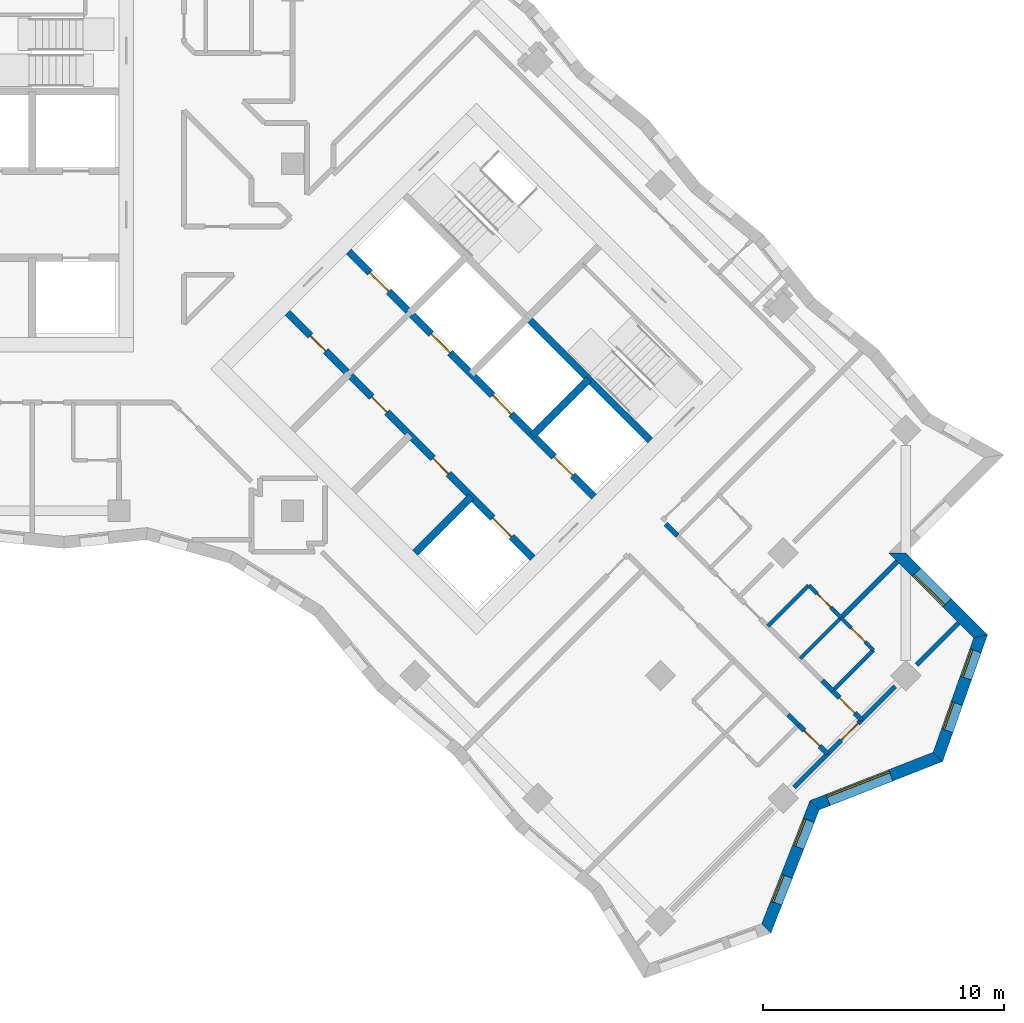
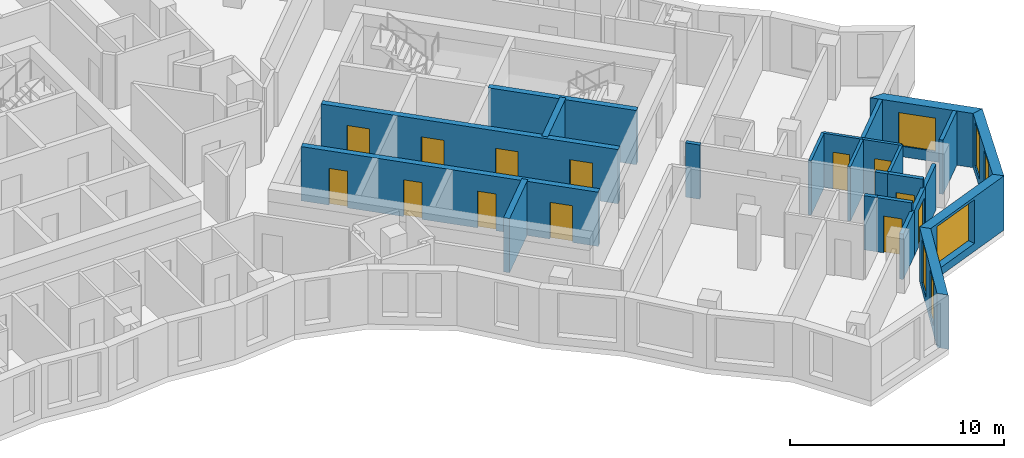
# One storey, part 8 of 12: 24 walls, 13 doors, 6 windows, 19 openings.
"""IFC4 building model written with IfcOpenShell, lengths in metres."""

from ifc_helpers import new_model, si_unit, direction, frame, frame_2d, origin, place, context, subcontext, project, spatial, polyline, rectangle, outline, extrude, material, layer, layer_set, type_object, element, fill, save


model = new_model("IFC4")

# Units and contexts
model_context = context("Model", 3, precision=1e-05, world=origin(), true_north=direction((0.0, 1.0)))
body_context = subcontext(model_context, "Body", "Model", "MODEL_VIEW")
ifc_project = project(units=[si_unit("LENGTHUNIT", "METRE"), si_unit("AREAUNIT", "SQUARE_METRE"), si_unit("VOLUMEUNIT", "CUBIC_METRE"), si_unit("PLANEANGLEUNIT", "RADIAN"), si_unit("MASSUNIT", "GRAM", prefix="KILO")], contexts=[model_context])

# Site, building, storey
site_placement = place(None, origin())
site = spatial("IfcSite", under=ifc_project, at=site_placement, CompositionType="ELEMENT")
building_placement = place(site_placement, origin())
building = spatial("IfcBuilding", under=site, at=building_placement, Name="Windrow Commons", CompositionType="ELEMENT")
storey_placement = place(building_placement, frame((0.0, 0.0, 142.2)))
storey = spatial("IfcBuildingStorey", under=building, at=storey_placement, Name="L38", CompositionType="ELEMENT", Elevation=142.2)

# Wall, openings, windows
ifc_material_1 = material(Name="Brick masonry, red clay brick", Category="masonry")
ifc_layer_1 = layer(ifc_material_1, 0.5)
ifc_layer_set_1 = layer_set([ifc_layer_1], Name="Brick facade wall 500")
wall_type_1 = type_object("IfcWallType", Name="Brick facade wall 500", PredefinedType="SOLIDWALL", material=ifc_layer_set_1)
wall_1_placement = place(storey_placement, frame((98.8639, 25.8673, 0.0), z_axis=(0.0, 0.0, 1.0), x_axis=(0.3652007286, 0.9309287985, 0.0)))
wall_1 = element("IfcWall", 1, at=wall_1_placement, inside=storey, type_object=wall_type_1, Name="Brick facade wall L38 2", PredefinedType="SOLIDWALL", context=body_context, shape_type="SweptSolid", body=[
    extrude(outline(polyline([(-0.114, -0.25), (5.3854, -0.25), (5.6037, 0.25), (0.114, 0.25), (-0.114, -0.25)])), origin(), (0.0, 0.0, 1.0), 3.1),
])
opening_1_placement = place(wall_1_placement, frame((1.1322, 0.0, 0.45)))
opening_1 = element("IfcOpeningElement", 2, at=opening_1_placement, cuts=wall_1, Name="Opening W7E", PredefinedType="OPENING", context=body_context, shape_type="SweptSolid", body=[
    extrude(rectangle(XDim=1.2, YDim=2.5, at=frame_2d((0.6, 1.25))), frame((0.0, 0.26, 0.0), z_axis=(0.0, -1.0, 0.0), x_axis=(1.0, 0.0, 0.0)), (0.0, 0.0, 1.0), 0.52),
])
opening_2_placement = place(wall_1_placement, frame((3.6224, 0.0, 0.45)))
opening_2 = element("IfcOpeningElement", 3, at=opening_2_placement, cuts=wall_1, Name="Opening W7E", PredefinedType="OPENING", context=body_context, shape_type="SweptSolid", body=[
    extrude(rectangle(XDim=1.2, YDim=2.5, at=frame_2d((0.6, 1.25))), frame((0.0, 0.26, 0.0), z_axis=(0.0, -1.0, 0.0), x_axis=(1.0, 0.0, 0.0)), (0.0, 0.0, 1.0), 0.52),
])
ifc_material_2 = material(Name="Clear float glass in anodised aluminium frame", Category="aluminium")
window_type_1 = type_object("IfcWindowType", Name="Window W7 notch 1200x2500", PartitioningType="SINGLE_PANEL", PredefinedType="WINDOW", material=ifc_material_2)
window_1_placement = place(opening_1_placement, origin())
window_1 = element("IfcWindow", 4, at=window_1_placement, inside=storey, type_object=window_type_1, Name="Window L38 2.1", OverallHeight=2.5, OverallWidth=1.2, PartitioningType="SINGLE_PANEL", PredefinedType="WINDOW", context=body_context, shape_type="SweptSolid", body=[
    extrude(rectangle(XDim=1.2, YDim=2.5, at=frame_2d((0.6, 1.25))), frame((0.0, 0.18, 0.0), z_axis=(0.0, -1.0, 0.0), x_axis=(1.0, 0.0, 0.0)), (0.0, 0.0, 1.0), 0.06),
])
fill(opening_1, window_1)
window_2_placement = place(opening_2_placement, origin())
window_2 = element("IfcWindow", 5, at=window_2_placement, inside=storey, type_object=window_type_1, Name="Window L38 2.2", OverallHeight=2.5, OverallWidth=1.2, PartitioningType="SINGLE_PANEL", PredefinedType="WINDOW", context=body_context, shape_type="SweptSolid", body=[
    extrude(rectangle(XDim=1.2, YDim=2.5, at=frame_2d((0.6, 1.25))), frame((0.0, 0.18, 0.0), z_axis=(0.0, -1.0, 0.0), x_axis=(1.0, 0.0, 0.0)), (0.0, 0.0, 1.0), 0.06),
])
fill(opening_2, window_2)

# Wall, opening, window
wall_2_placement = place(storey_placement, frame((100.8705, 30.9823, 0.0), z_axis=(0.0, 0.0, 1.0), x_axis=(0.9309312258, 0.3651945412, 0.0)))
wall_2 = element("IfcWall", 6, at=wall_2_placement, inside=storey, type_object=wall_type_1, Name="Brick facade wall L38 3", PredefinedType="SOLIDWALL", context=body_context, shape_type="SweptSolid", body=[
    extrude(outline(polyline([(0.1091, -0.25), (5.6086, -0.25), (5.3805, 0.25), (-0.1091, 0.25), (0.1091, -0.25)])), origin(), (0.0, 0.0, 1.0), 3.1),
])
opening_3_placement = place(wall_2_placement, frame((0.5957, 0.0, 0.45)))
opening_3 = element("IfcOpeningElement", 7, at=opening_3_placement, cuts=wall_2, Name="Opening W1U", PredefinedType="OPENING", context=body_context, shape_type="SweptSolid", body=[
    extrude(rectangle(XDim=2.8, YDim=2.5, at=frame_2d((1.4, 1.25))), frame((0.0, 0.26, 0.0), z_axis=(0.0, -1.0, 0.0), x_axis=(1.0, 0.0, 0.0)), (0.0, 0.0, 1.0), 0.52),
])
ifc_material_3 = material(Name="Clear float glass in anodised aluminium frame", Category="aluminium")
window_type_2 = type_object("IfcWindowType", Name="Window W1U bedroom 2800x2500", PartitioningType="SINGLE_PANEL", PredefinedType="WINDOW", material=ifc_material_3)
window_3_placement = place(opening_3_placement, origin())
window_3 = element("IfcWindow", 8, at=window_3_placement, inside=storey, type_object=window_type_2, Name="Window L38 3.1", OverallHeight=2.5, OverallWidth=2.8, PartitioningType="SINGLE_PANEL", PredefinedType="WINDOW", context=body_context, shape_type="SweptSolid", body=[
    extrude(rectangle(XDim=2.8, YDim=2.5, at=frame_2d((1.4, 1.25))), frame((0.0, 0.18, 0.0), z_axis=(0.0, -1.0, 0.0), x_axis=(1.0, 0.0, 0.0)), (0.0, 0.0, 1.0), 0.06),
])
fill(opening_3, window_3)

# Wall, openings, windows
wall_3_placement = place(storey_placement, frame((105.9856, 32.9889, 0.0), z_axis=(0.0, 0.0, 1.0), x_axis=(0.3344271092, 0.9424216194, 0.0)))
wall_3 = element("IfcWall", 9, at=wall_3_placement, inside=storey, type_object=wall_type_1, Name="Brick facade wall L38 4", PredefinedType="SOLIDWALL", context=body_context, shape_type="SweptSolid", body=[
    extrude(outline(polyline([(-0.114, -0.25), (5.4685, -0.25), (5.1527, 0.25), (0.114, 0.25), (-0.114, -0.25)])), origin(), (0.0, 0.0, 1.0), 3.1),
])
opening_4_placement = place(wall_3_placement, frame((1.1545, 0.0, 0.45)))
opening_4 = element("IfcOpeningElement", 10, at=opening_4_placement, cuts=wall_3, Name="Opening W7E", PredefinedType="OPENING", context=body_context, shape_type="SweptSolid", body=[
    extrude(rectangle(XDim=1.2, YDim=2.5, at=frame_2d((0.6, 1.25))), frame((0.0, 0.26, 0.0), z_axis=(0.0, -1.0, 0.0), x_axis=(1.0, 0.0, 0.0)), (0.0, 0.0, 1.0), 0.52),
])
opening_5_placement = place(wall_3_placement, frame((3.4739, 0.0, 0.45)))
opening_5 = element("IfcOpeningElement", 11, at=opening_5_placement, cuts=wall_3, Name="Opening W7E", PredefinedType="OPENING", context=body_context, shape_type="SweptSolid", body=[
    extrude(rectangle(XDim=1.2, YDim=2.5, at=frame_2d((0.6, 1.25))), frame((0.0, 0.26, 0.0), z_axis=(0.0, -1.0, 0.0), x_axis=(1.0, 0.0, 0.0)), (0.0, 0.0, 1.0), 0.52),
])
window_4_placement = place(opening_4_placement, origin())
window_4 = element("IfcWindow", 12, at=window_4_placement, inside=storey, type_object=window_type_1, Name="Window L38 4.1", OverallHeight=2.5, OverallWidth=1.2, PartitioningType="SINGLE_PANEL", PredefinedType="WINDOW", context=body_context, shape_type="SweptSolid", body=[
    extrude(rectangle(XDim=1.2, YDim=2.5, at=frame_2d((0.6, 1.25))), frame((0.0, 0.18, 0.0), z_axis=(0.0, -1.0, 0.0), x_axis=(1.0, 0.0, 0.0)), (0.0, 0.0, 1.0), 0.06),
])
fill(opening_4, window_4)
window_5_placement = place(opening_5_placement, origin())
window_5 = element("IfcWindow", 13, at=window_5_placement, inside=storey, type_object=window_type_1, Name="Window L38 4.2", OverallHeight=2.5, OverallWidth=1.2, PartitioningType="SINGLE_PANEL", PredefinedType="WINDOW", context=body_context, shape_type="SweptSolid", body=[
    extrude(rectangle(XDim=1.2, YDim=2.5, at=frame_2d((0.6, 1.25))), frame((0.0, 0.18, 0.0), z_axis=(0.0, -1.0, 0.0), x_axis=(1.0, 0.0, 0.0)), (0.0, 0.0, 1.0), 0.06),
])
fill(opening_5, window_5)

# Wall, opening, window
wall_4_placement = place(storey_placement, frame((107.7616, 37.9937, 0.0), z_axis=(0.0, 0.0, 1.0), x_axis=(-0.7071170013, 0.7070965609, 0.0)))
wall_4 = element("IfcWall", 14, at=wall_4_placement, inside=storey, type_object=wall_type_1, Name="Brick facade wall L38 5", PredefinedType="SOLIDWALL", context=body_context, shape_type="SweptSolid", body=[
    extrude(outline(polyline([(-0.1579, -0.25), (4.6422, -0.25), (5.1422, 0.25), (0.1579, 0.25), (-0.1579, -0.25)])), origin(), (0.0, 0.0, 1.0), 3.1),
])
opening_6_placement = place(wall_4_placement, frame((1.9672, 0.0, 0.6)))
opening_6 = element("IfcOpeningElement", 15, at=opening_6_placement, cuts=wall_4, Name="Opening W1L", PredefinedType="OPENING", context=body_context, shape_type="SweptSolid", body=[
    extrude(rectangle(XDim=1.8, YDim=1.9, at=frame_2d((0.9, 0.95))), frame((0.0, 0.26, 0.0), z_axis=(0.0, -1.0, 0.0), x_axis=(1.0, 0.0, 0.0)), (0.0, 0.0, 1.0), 0.52),
])
ifc_material_4 = material(Name="Clear float glass in anodised aluminium frame", Category="aluminium")
window_type_3 = type_object("IfcWindowType", Name="Window W1L bedroom 1800x1900", PartitioningType="SINGLE_PANEL", PredefinedType="WINDOW", material=ifc_material_4)
window_6_placement = place(opening_6_placement, origin())
window_6 = element("IfcWindow", 16, at=window_6_placement, inside=storey, type_object=window_type_3, Name="Window L38 5.1", OverallHeight=1.9, OverallWidth=1.8, PartitioningType="SINGLE_PANEL", PredefinedType="WINDOW", context=body_context, shape_type="SweptSolid", body=[
    extrude(rectangle(XDim=1.8, YDim=1.9, at=frame_2d((0.9, 0.95))), frame((0.0, 0.18, 0.0), z_axis=(0.0, -1.0, 0.0), x_axis=(1.0, 0.0, 0.0)), (0.0, 0.0, 1.0), 0.06),
])
fill(opening_6, window_6)

# Wall, opening, door
ifc_material_5 = material(Name="Blockwork partition", Category="masonry")
ifc_layer_2 = layer(ifc_material_5, 0.2)
ifc_layer_set_2 = layer_set([ifc_layer_2], Name="IW-CORRIDOR-200")
wall_type_2 = type_object("IfcWallType", Name="IW-CORRIDOR-200", PredefinedType="PARTITIONING", material=ifc_layer_set_2)
wall_5_placement = place(storey_placement, frame((101.4032, 33.1108, 0.0), z_axis=(0.0, 0.0, 1.0), x_axis=(0.7071067812, 0.7071067812, 0.0)))
wall_5 = element("IfcWall", 17, at=wall_5_placement, inside=storey, type_object=wall_type_2, Name="W-L38-W112", PredefinedType="PARTITIONING", context=body_context, shape_type="SweptSolid", body=[
    extrude(rectangle(XDim=1.9997, YDim=0.2, at=frame_2d((0.9999, 0.0))), origin(), (0.0, 0.0, 1.0), 2.6),
])
opening_7_placement = place(wall_5_placement, frame((0.8016, 0.0, 0.0)))
opening_7 = element("IfcOpeningElement", 18, at=opening_7_placement, cuts=wall_5, Name="Opening D310F", PredefinedType="OPENING", context=body_context, shape_type="SweptSolid", body=[
    extrude(rectangle(XDim=1.0, YDim=2.1, at=frame_2d((0.5, 1.05))), frame((0.0, 0.11, 0.0), z_axis=(0.0, -1.0, 0.0), x_axis=(1.0, 0.0, 0.0)), (0.0, 0.0, 1.0), 0.22),
])
ifc_material_6 = material(Name="Timber door leaf", Category="wood")
door_type_1 = type_object("IfcDoorType", Name="DT-AMENITY-1000", OperationType="SINGLE_SWING_LEFT", PredefinedType="DOOR", material=ifc_material_6)
door_1_placement = place(opening_7_placement, origin())
door_1 = element("IfcDoor", 19, at=door_1_placement, inside=storey, type_object=door_type_1, Name="D-L38-D053", OperationType="SINGLE_SWING_RIGHT", OverallHeight=2.1, OverallWidth=1.0, PredefinedType="DOOR", context=body_context, shape_type="SweptSolid", body=[
    extrude(rectangle(XDim=1.0, YDim=2.1, at=frame_2d((0.5, 1.05))), frame((0.0, 0.025, 0.0), z_axis=(0.0, -1.0, 0.0), x_axis=(1.0, 0.0, 0.0)), (0.0, 0.0, 1.0), 0.05),
])
fill(opening_7, door_1)

wall_6_placement = place(storey_placement, frame((100.205, 34.315, 0.0), z_axis=(0.0, 0.0, 1.0), x_axis=(0.7071067812, -0.7071067812, 0.0)))
wall_6 = element("IfcWall", 20, at=wall_6_placement, inside=storey, type_object=wall_type_2, Name="W-L38-W135", PredefinedType="PARTITIONING", context=body_context, shape_type="SweptSolid", body=[
    extrude(rectangle(XDim=1.6999, YDim=0.2, at=frame_2d((0.8499, 0.0))), origin(), (0.0, 0.0, 1.0), 3.1),
])
opening_8_placement = place(wall_6_placement, frame((0.3349, 0.0, 0.0)))
opening_8 = element("IfcOpeningElement", 21, at=opening_8_placement, cuts=wall_6, Name="Opening D109S", PredefinedType="OPENING", context=body_context, shape_type="SweptSolid", body=[
    extrude(rectangle(XDim=0.9, YDim=2.1, at=frame_2d((0.45, 1.05))), frame((0.0, 0.11, 0.0), z_axis=(0.0, -1.0, 0.0), x_axis=(1.0, 0.0, 0.0)), (0.0, 0.0, 1.0), 0.22),
])
ifc_material_7 = material(Name="Timber door leaf", Category="wood")
door_type_2 = type_object("IfcDoorType", Name="DT-BEDROOM-900", OperationType="SINGLE_SWING_LEFT", PredefinedType="DOOR", material=ifc_material_7)
door_2_placement = place(opening_8_placement, origin())
door_2 = element("IfcDoor", 22, at=door_2_placement, inside=storey, type_object=door_type_2, Name="D-L38-D051", OperationType="SINGLE_SWING_LEFT", OverallHeight=2.1, OverallWidth=0.9, PredefinedType="DOOR", context=body_context, shape_type="SweptSolid", body=[
    extrude(rectangle(XDim=0.9, YDim=2.1, at=frame_2d((0.45, 1.05))), frame((0.0, 0.025, 0.0), z_axis=(0.0, -1.0, 0.0), x_axis=(1.0, 0.0, 0.0)), (0.0, 0.0, 1.0), 0.05),
])
fill(opening_8, door_2)

wall_7_placement = place(storey_placement, frame((101.6192, 35.7292, 0.0), z_axis=(0.0, 0.0, 1.0), x_axis=(0.7071067812, -0.7071067812, 0.0)))
wall_7 = element("IfcWall", 23, at=wall_7_placement, inside=storey, type_object=wall_type_2, Name="W-L38-W136", PredefinedType="PARTITIONING", context=body_context, shape_type="SweptSolid", body=[
    extrude(rectangle(XDim=1.6999, YDim=0.2, at=frame_2d((0.8499, 0.0))), origin(), (0.0, 0.0, 1.0), 3.1),
])
opening_9_placement = place(wall_7_placement, frame((0.3999, 0.0, 0.0)))
opening_9 = element("IfcOpeningElement", 24, at=opening_9_placement, cuts=wall_7, Name="Opening D109S", PredefinedType="OPENING", context=body_context, shape_type="SweptSolid", body=[
    extrude(rectangle(XDim=0.9, YDim=2.1, at=frame_2d((0.45, 1.05))), frame((0.0, 0.11, 0.0), z_axis=(0.0, -1.0, 0.0), x_axis=(1.0, 0.0, 0.0)), (0.0, 0.0, 1.0), 0.22),
])
door_3_placement = place(opening_9_placement, origin())
door_3 = element("IfcDoor", 25, at=door_3_placement, inside=storey, type_object=door_type_2, Name="D-L38-D049", OperationType="SINGLE_SWING_RIGHT", OverallHeight=2.1, OverallWidth=0.9, PredefinedType="DOOR", context=body_context, shape_type="SweptSolid", body=[
    extrude(rectangle(XDim=0.9, YDim=2.1, at=frame_2d((0.45, 1.05))), frame((0.0, 0.025, 0.0), z_axis=(0.0, -1.0, 0.0), x_axis=(1.0, 0.0, 0.0)), (0.0, 0.0, 1.0), 0.05),
])
fill(opening_9, door_3)

# Walls
wall_8_placement = place(storey_placement, frame((94.6863, 42.6563, 0.0), z_axis=(0.0, 0.0, 1.0), x_axis=(0.7056768426, -0.7085338339, 0.0)))
element("IfcWall", 26, at=wall_8_placement, inside=storey, type_object=wall_type_2, Name="W-L38-W155", PredefinedType="PARTITIONING", context=body_context, shape_type="SweptSolid", body=[
    extrude(rectangle(XDim=0.7, YDim=0.2, at=frame_2d((0.35, 0.0))), origin(), (0.0, 0.0, 1.0), 3.1),
])
for number, where, z_axis, x_axis, name in (
    (27, (101.186, 36.1581, 0.0), (0.0, 0.0, 1.0), (0.7087454925, -0.7054642634, 0.0), "W-L38-W158"),
    (28, (99.7718, 34.7438, 0.0), (0.0, 0.0, 1.0), (0.7087454925, -0.7054642634, 0.0), "W-L38-W159"),
):
    element("IfcWall", number, at=place(storey_placement, frame(where, z_axis=z_axis, x_axis=x_axis)), inside=storey, type_object=wall_type_2, Name=name, PredefinedType="PARTITIONING", context=body_context, shape_type="SweptSolid", body=[
        extrude(rectangle(XDim=0.6095, YDim=0.2, at=frame_2d((0.3048, 0.0))), origin(), (0.0, 0.0, 1.0), 3.1),
    ])
ifc_material_8 = material(Name="Blockwork partition", Category="masonry")
ifc_layer_3 = layer(ifc_material_8, 0.15)
ifc_layer_set_3 = layer_set([ifc_layer_3], Name="IW-ENSUITE-150")
wall_type_3 = type_object("IfcWallType", Name="IW-ENSUITE-150", PredefinedType="PARTITIONING", material=ifc_layer_set_3)
wall_9_placement = place(storey_placement, frame((98.9271, 38.4129, 0.0), z_axis=(0.0, 0.0, 1.0), x_axis=(0.7071067812, 0.7071067812, 0.0)))
element("IfcWall", 29, at=wall_9_placement, inside=storey, type_object=wall_type_3, Name="W-L38-W064", PredefinedType="PARTITIONING", context=body_context, shape_type="SweptSolid", body=[
    extrude(rectangle(XDim=2.4013, YDim=0.15, at=frame_2d((1.2006, 0.0))), origin(), (0.0, 0.0, 1.0), 3.1),
])
wall_10_placement = place(storey_placement, frame((100.2726, 37.0674, 0.0), z_axis=(0.0, 0.0, 1.0), x_axis=(0.706689978, 0.7075233388, 0.0)))
element("IfcWall", 30, at=wall_10_placement, inside=storey, type_object=wall_type_3, Name="W-L38-W091", PredefinedType="PARTITIONING", context=body_context, shape_type="SweptSolid", body=[
    extrude(rectangle(XDim=2.3999, YDim=0.15, at=frame_2d((1.2, 0.0))), origin(), (0.0, 0.0, 1.0), 3.1),
])
wall_11_placement = place(storey_placement, frame((101.6151, 35.7269, 0.0), z_axis=(0.0, 0.0, 1.0), x_axis=(0.7071067812, 0.7071067812, 0.0)))
element("IfcWall", 31, at=wall_11_placement, inside=storey, type_object=wall_type_3, Name="W-L38-W093", PredefinedType="PARTITIONING", context=body_context, shape_type="SweptSolid", body=[
    extrude(rectangle(XDim=2.3985, YDim=0.15, at=frame_2d((1.1992, 0.0))), origin(), (0.0, 0.0, 1.0), 3.1),
])

# Wall, opening, door
wall_12_placement = place(storey_placement, frame((101.9652, 38.7632, 0.0), z_axis=(0.0, 0.0, 1.0), x_axis=(0.7071067812, -0.7071067812, 0.0)))
wall_12 = element("IfcWall", 32, at=wall_12_placement, inside=storey, type_object=wall_type_3, Name="W-L38-W119", PredefinedType="PARTITIONING", context=body_context, shape_type="SweptSolid", body=[
    extrude(rectangle(XDim=1.9007, YDim=0.15, at=frame_2d((0.9504, 0.0))), origin(), (0.0, 0.0, 1.0), 3.1),
])
opening_10_placement = place(wall_12_placement, frame((0.6075, 0.0, 0.0)))
opening_10 = element("IfcOpeningElement", 33, at=opening_10_placement, cuts=wall_12, Name="Opening D208N", PredefinedType="OPENING", context=body_context, shape_type="SweptSolid", body=[
    extrude(rectangle(XDim=0.8, YDim=2.1, at=frame_2d((0.4, 1.05))), frame((0.0, 0.085, 0.0), z_axis=(0.0, -1.0, 0.0), x_axis=(1.0, 0.0, 0.0)), (0.0, 0.0, 1.0), 0.17),
])
ifc_material_9 = material(Name="Timber door leaf", Category="wood")
door_type_3 = type_object("IfcDoorType", Name="DT-ENSUITE-800", OperationType="SINGLE_SWING_LEFT", PredefinedType="DOOR", material=ifc_material_9)
door_4_placement = place(opening_10_placement, origin())
door_4 = element("IfcDoor", 34, at=door_4_placement, inside=storey, type_object=door_type_3, Name="D-L38-D050", OperationType="SINGLE_SWING_RIGHT", OverallHeight=2.1, OverallWidth=0.8, PredefinedType="DOOR", context=body_context, shape_type="SweptSolid", body=[
    extrude(rectangle(XDim=0.8, YDim=2.1, at=frame_2d((0.4, 1.05))), frame((0.0, 0.025, 0.0), z_axis=(0.0, -1.0, 0.0), x_axis=(1.0, 0.0, 0.0)), (0.0, 0.0, 1.0), 0.05),
])
fill(opening_10, door_4)

wall_13_placement = place(storey_placement, frame((100.628, 40.112, 0.0), z_axis=(0.0, 0.0, 1.0), x_axis=(0.7065800724, -0.7076330979, 0.0)))
wall_13 = element("IfcWall", 35, at=wall_13_placement, inside=storey, type_object=wall_type_3, Name="W-L38-W128", PredefinedType="PARTITIONING", context=body_context, shape_type="SweptSolid", body=[
    extrude(rectangle(XDim=1.8993, YDim=0.15, at=frame_2d((0.9496, 0.0))), origin(), (0.0, 0.0, 1.0), 3.1),
])
opening_11_placement = place(wall_13_placement, frame((0.493, 0.0, 0.0)))
opening_11 = element("IfcOpeningElement", 36, at=opening_11_placement, cuts=wall_13, Name="Opening D208N", PredefinedType="OPENING", context=body_context, shape_type="SweptSolid", body=[
    extrude(rectangle(XDim=0.8, YDim=2.1, at=frame_2d((0.4, 1.05))), frame((0.0, 0.085, 0.0), z_axis=(0.0, -1.0, 0.0), x_axis=(1.0, 0.0, 0.0)), (0.0, 0.0, 1.0), 0.17),
])
door_5_placement = place(opening_11_placement, origin())
door_5 = element("IfcDoor", 37, at=door_5_placement, inside=storey, type_object=door_type_3, Name="D-L38-D048", OperationType="SINGLE_SWING_RIGHT", OverallHeight=2.1, OverallWidth=0.8, PredefinedType="DOOR", context=body_context, shape_type="SweptSolid", body=[
    extrude(rectangle(XDim=0.8, YDim=2.1, at=frame_2d((0.4, 1.05))), frame((0.0, 0.025, 0.0), z_axis=(0.0, -1.0, 0.0), x_axis=(1.0, 0.0, 0.0)), (0.0, 0.0, 1.0), 0.05),
])
fill(opening_11, door_5)

# Walls
ifc_material_10 = material(Name="Blockwork partition", Category="masonry")
ifc_layer_4 = layer(ifc_material_10, 0.2)
ifc_layer_set_4 = layer_set([ifc_layer_4], Name="IW-PARTY-200")
wall_type_4 = type_object("IfcWallType", Name="IW-PARTY-200", PredefinedType="PARTITIONING", material=ifc_layer_set_4)
wall_14_placement = place(storey_placement, frame((101.9676, 38.7664, 0.0), z_axis=(0.0, 0.0, 1.0), x_axis=(0.7071067812, 0.7071067812, 0.0)))
element("IfcWall", 38, at=wall_14_placement, inside=storey, type_object=wall_type_4, Name="W-L38-W049", PredefinedType="PARTITIONING", context=body_context, shape_type="SweptSolid", body=[
    extrude(rectangle(XDim=3.3005, YDim=0.2, at=frame_2d((1.6502, 0.0))), origin(), (0.0, 0.0, 1.0), 3.1),
])
wall_15_placement = place(storey_placement, frame((105.1052, 36.8128, 0.0), z_axis=(0.0, 0.0, 1.0), x_axis=(0.7071067812, 0.7071067812, 0.0)))
element("IfcWall", 39, at=wall_15_placement, inside=storey, type_object=wall_type_4, Name="W-L38-W062", PredefinedType="PARTITIONING", context=body_context, shape_type="SweptSolid", body=[
    extrude(rectangle(XDim=2.4634, YDim=0.2, at=frame_2d((1.2317, 0.0))), origin(), (0.0, 0.0, 1.0), 3.1),
])
wall_16_placement = place(storey_placement, frame((100.0132, 31.7208, 0.0), z_axis=(0.0, 0.0, 1.0), x_axis=(0.7071067812, 0.7071067812, 0.0)))
element("IfcWall", 40, at=wall_16_placement, inside=storey, type_object=wall_type_4, Name="W-L38-W113", PredefinedType="PARTITIONING", context=body_context, shape_type="SweptSolid", body=[
    extrude(rectangle(XDim=1.9658, YDim=0.2, at=frame_2d((0.9829, 0.0))), origin(), (0.0, 0.0, 1.0), 2.6),
])
wall_17_placement = place(storey_placement, frame((102.8172, 34.5248, 0.0), z_axis=(0.0, 0.0, 1.0), x_axis=(0.7071067812, 0.7071067812, 0.0)))
element("IfcWall", 41, at=wall_17_placement, inside=storey, type_object=wall_type_4, Name="W-L38-W115", PredefinedType="PARTITIONING", context=body_context, shape_type="SweptSolid", body=[
    extrude(rectangle(XDim=1.9629, YDim=0.2, at=frame_2d((0.9815, 0.0))), origin(), (0.0, 0.0, 1.0), 2.6),
])
ifc_material_11 = material(Name="Concrete C50/60", Category="concrete")
ifc_layer_5 = layer(ifc_material_11, 0.3)
ifc_layer_set_5 = layer_set([ifc_layer_5], Name="RC SHAFT WALL 300 C50/60")
wall_type_5 = type_object("IfcWallType", Name="RC SHAFT WALL 300 C50/60", PredefinedType="SOLIDWALL", material=ifc_layer_set_5)
wall_18_placement = place(storey_placement, frame((84.2912, 41.453, 0.0), z_axis=(0.0, 0.0, 1.0), x_axis=(0.7071067812, 0.7071067812, 0.0)))
element("IfcWall", 42, at=wall_18_placement, inside=storey, type_object=wall_type_5, Name="Core B wall shaft-S3", PredefinedType="SOLIDWALL", context=body_context, shape_type="SweptSolid", body=[
    extrude(rectangle(XDim=3.2999, YDim=0.3, at=frame_2d((1.65, 0.0))), origin(), (0.0, 0.0, 1.0), 3.1),
])
wall_19_placement = place(storey_placement, frame((89.1702, 46.332, 0.0), z_axis=(0.0, 0.0, 1.0), x_axis=(0.7071067812, 0.7071067812, 0.0)))
element("IfcWall", 43, at=wall_19_placement, inside=storey, type_object=wall_type_5, Name="Core B wall shaft-N3", PredefinedType="SOLIDWALL", context=body_context, shape_type="SweptSolid", body=[
    extrude(rectangle(XDim=3.3001, YDim=0.3, at=frame_2d((1.6501, 0.0))), origin(), (0.0, 0.0, 1.0), 3.1),
])

# Wall, openings, doors
wall_20_placement = place(storey_placement, frame((78.9879, 51.4232, 0.0), z_axis=(0.0, 0.0, 1.0), x_axis=(0.7071067812, -0.7071067812, 0.0)))
wall_20 = element("IfcWall", 44, at=wall_20_placement, inside=storey, type_object=wall_type_5, Name="Core B wall lobby-S", PredefinedType="SOLIDWALL", context=body_context, shape_type="SweptSolid", body=[
    extrude(rectangle(XDim=14.3999, YDim=0.3, at=frame_2d((7.2, 0.0))), origin(), (0.0, 0.0, 1.0), 3.1),
])
opening_12_placement = place(wall_20_placement, frame((1.35, 0.0, 0.0)))
opening_12 = element("IfcOpeningElement", 45, at=opening_12_placement, cuts=wall_20, Name="Opening D8", PredefinedType="OPENING", context=body_context, shape_type="SweptSolid", body=[
    extrude(rectangle(XDim=0.9, YDim=2.1, at=frame_2d((0.45, 1.05))), frame((0.0, 0.16, 0.0), z_axis=(0.0, -1.0, 0.0), x_axis=(1.0, 0.0, 0.0)), (0.0, 0.0, 1.0), 0.32),
])
opening_13_placement = place(wall_20_placement, frame((4.95, 0.0, 0.0)))
opening_13 = element("IfcOpeningElement", 46, at=opening_13_placement, cuts=wall_20, Name="Opening D8", PredefinedType="OPENING", context=body_context, shape_type="SweptSolid", body=[
    extrude(rectangle(XDim=0.9, YDim=2.1, at=frame_2d((0.45, 1.05))), frame((0.0, 0.16, 0.0), z_axis=(0.0, -1.0, 0.0), x_axis=(1.0, 0.0, 0.0)), (0.0, 0.0, 1.0), 0.32),
])
opening_14_placement = place(wall_20_placement, frame((8.55, 0.0, 0.0)))
opening_14 = element("IfcOpeningElement", 47, at=opening_14_placement, cuts=wall_20, Name="Opening D8", PredefinedType="OPENING", context=body_context, shape_type="SweptSolid", body=[
    extrude(rectangle(XDim=0.9, YDim=2.1, at=frame_2d((0.45, 1.05))), frame((0.0, 0.16, 0.0), z_axis=(0.0, -1.0, 0.0), x_axis=(1.0, 0.0, 0.0)), (0.0, 0.0, 1.0), 0.32),
])
opening_15_placement = place(wall_20_placement, frame((12.05, 0.0, 0.0)))
opening_15 = element("IfcOpeningElement", 48, at=opening_15_placement, cuts=wall_20, Name="Opening LD", PredefinedType="OPENING", context=body_context, shape_type="SweptSolid", body=[
    extrude(rectangle(XDim=1.1, YDim=2.1, at=frame_2d((0.55, 1.05))), frame((0.0, 0.16, 0.0), z_axis=(0.0, -1.0, 0.0), x_axis=(1.0, 0.0, 0.0)), (0.0, 0.0, 1.0), 0.32),
])
ifc_material_12 = material(Name="Steel fire door leaf", Category="steel")
door_type_4 = type_object("IfcDoorType", Name="Core store door 900", OperationType="SINGLE_SWING_LEFT", PredefinedType="DOOR", material=ifc_material_12)
door_6_placement = place(opening_12_placement, origin())
door_6 = element("IfcDoor", 49, at=door_6_placement, inside=storey, type_object=door_type_4, Name="Store door", OperationType="SINGLE_SWING_LEFT", OverallHeight=2.1, OverallWidth=0.9, PredefinedType="DOOR", context=body_context, shape_type="SweptSolid", body=[
    extrude(rectangle(XDim=0.9, YDim=2.1, at=frame_2d((0.45, 1.05))), frame((0.0, 0.025, 0.0), z_axis=(0.0, -1.0, 0.0), x_axis=(1.0, 0.0, 0.0)), (0.0, 0.0, 1.0), 0.05),
])
fill(opening_12, door_6)
door_7_placement = place(opening_13_placement, origin())
door_7 = element("IfcDoor", 50, at=door_7_placement, inside=storey, type_object=door_type_4, Name="Store door", OperationType="SINGLE_SWING_LEFT", OverallHeight=2.1, OverallWidth=0.9, PredefinedType="DOOR", context=body_context, shape_type="SweptSolid", body=[
    extrude(rectangle(XDim=0.9, YDim=2.1, at=frame_2d((0.45, 1.05))), frame((0.0, 0.025, 0.0), z_axis=(0.0, -1.0, 0.0), x_axis=(1.0, 0.0, 0.0)), (0.0, 0.0, 1.0), 0.05),
])
fill(opening_13, door_7)
door_8_placement = place(opening_14_placement, origin())
door_8 = element("IfcDoor", 51, at=door_8_placement, inside=storey, type_object=door_type_4, Name="Store door", OperationType="SINGLE_SWING_LEFT", OverallHeight=2.1, OverallWidth=0.9, PredefinedType="DOOR", context=body_context, shape_type="SweptSolid", body=[
    extrude(rectangle(XDim=0.9, YDim=2.1, at=frame_2d((0.45, 1.05))), frame((0.0, 0.025, 0.0), z_axis=(0.0, -1.0, 0.0), x_axis=(1.0, 0.0, 0.0)), (0.0, 0.0, 1.0), 0.05),
])
fill(opening_14, door_8)
ifc_material_13 = material(Name="Stainless steel door leaf", Category="steel")
door_type_5 = type_object("IfcDoorType", Name="Lift landing door 1100", OperationType="SLIDING_TO_LEFT", PredefinedType="DOOR", material=ifc_material_13)
door_9_placement = place(opening_15_placement, origin())
door_9 = element("IfcDoor", 52, at=door_9_placement, inside=storey, type_object=door_type_5, Name="Lift landing door", OperationType="SLIDING_TO_RIGHT", OverallHeight=2.1, OverallWidth=1.1, PredefinedType="DOOR", context=body_context, shape_type="SweptSolid", body=[
    extrude(rectangle(XDim=1.1, YDim=2.1, at=frame_2d((0.55, 1.05))), frame((0.0, 0.025, 0.0), z_axis=(0.0, -1.0, 0.0), x_axis=(1.0, 0.0, 0.0)), (0.0, 0.0, 1.0), 0.05),
])
fill(opening_15, door_9)

wall_21_placement = place(storey_placement, frame((81.5335, 53.9688, 0.0), z_axis=(0.0, 0.0, 1.0), x_axis=(0.707103309, -0.7071102534, 0.0)))
wall_21 = element("IfcWall", 53, at=wall_21_placement, inside=storey, type_object=wall_type_5, Name="Core B wall lobby-N", PredefinedType="SOLIDWALL", context=body_context, shape_type="SweptSolid", body=[
    extrude(rectangle(XDim=14.4, YDim=0.3, at=frame_2d((7.2, 0.0))), origin(), (0.0, 0.0, 1.0), 3.1),
])
opening_16_placement = place(wall_21_placement, frame((1.25, 0.0, 0.0)))
opening_16 = element("IfcOpeningElement", 54, at=opening_16_placement, cuts=wall_21, Name="Opening LD", PredefinedType="OPENING", context=body_context, shape_type="SweptSolid", body=[
    extrude(rectangle(XDim=1.1, YDim=2.1, at=frame_2d((0.55, 1.05))), frame((0.0, 0.16, 0.0), z_axis=(0.0, -1.0, 0.0), x_axis=(1.0, 0.0, 0.0)), (0.0, 0.0, 1.0), 0.32),
])
opening_17_placement = place(wall_21_placement, frame((4.85, 0.0, 0.0)))
opening_17 = element("IfcOpeningElement", 55, at=opening_17_placement, cuts=wall_21, Name="Opening LD", PredefinedType="OPENING", context=body_context, shape_type="SweptSolid", body=[
    extrude(rectangle(XDim=1.1, YDim=2.1, at=frame_2d((0.55, 1.05))), frame((0.0, 0.16, 0.0), z_axis=(0.0, -1.0, 0.0), x_axis=(1.0, 0.0, 0.0)), (0.0, 0.0, 1.0), 0.32),
])
opening_18_placement = place(wall_21_placement, frame((8.45, 0.0, 0.0)))
opening_18 = element("IfcOpeningElement", 56, at=opening_18_placement, cuts=wall_21, Name="Opening LD", PredefinedType="OPENING", context=body_context, shape_type="SweptSolid", body=[
    extrude(rectangle(XDim=1.1, YDim=2.1, at=frame_2d((0.55, 1.05))), frame((0.0, 0.16, 0.0), z_axis=(0.0, -1.0, 0.0), x_axis=(1.0, 0.0, 0.0)), (0.0, 0.0, 1.0), 0.32),
])
opening_19_placement = place(wall_21_placement, frame((12.05, 0.0, 0.0)))
opening_19 = element("IfcOpeningElement", 57, at=opening_19_placement, cuts=wall_21, Name="Opening LD", PredefinedType="OPENING", context=body_context, shape_type="SweptSolid", body=[
    extrude(rectangle(XDim=1.1, YDim=2.1, at=frame_2d((0.55, 1.05))), frame((0.0, 0.16, 0.0), z_axis=(0.0, -1.0, 0.0), x_axis=(1.0, 0.0, 0.0)), (0.0, 0.0, 1.0), 0.32),
])
door_10_placement = place(opening_16_placement, origin())
door_10 = element("IfcDoor", 58, at=door_10_placement, inside=storey, type_object=door_type_5, Name="Lift landing door", OperationType="SLIDING_TO_LEFT", OverallHeight=2.1, OverallWidth=1.1, PredefinedType="DOOR", context=body_context, shape_type="SweptSolid", body=[
    extrude(rectangle(XDim=1.1, YDim=2.1, at=frame_2d((0.55, 1.05))), frame((0.0, 0.025, 0.0), z_axis=(0.0, -1.0, 0.0), x_axis=(1.0, 0.0, 0.0)), (0.0, 0.0, 1.0), 0.05),
])
fill(opening_16, door_10)
door_11_placement = place(opening_17_placement, origin())
door_11 = element("IfcDoor", 59, at=door_11_placement, inside=storey, type_object=door_type_5, Name="Lift landing door", OperationType="SLIDING_TO_RIGHT", OverallHeight=2.1, OverallWidth=1.1, PredefinedType="DOOR", context=body_context, shape_type="SweptSolid", body=[
    extrude(rectangle(XDim=1.1, YDim=2.1, at=frame_2d((0.55, 1.05))), frame((0.0, 0.025, 0.0), z_axis=(0.0, -1.0, 0.0), x_axis=(1.0, 0.0, 0.0)), (0.0, 0.0, 1.0), 0.05),
])
fill(opening_17, door_11)
door_12_placement = place(opening_18_placement, origin())
door_12 = element("IfcDoor", 60, at=door_12_placement, inside=storey, type_object=door_type_5, Name="Lift landing door", OperationType="SLIDING_TO_LEFT", OverallHeight=2.1, OverallWidth=1.1, PredefinedType="DOOR", context=body_context, shape_type="SweptSolid", body=[
    extrude(rectangle(XDim=1.1, YDim=2.1, at=frame_2d((0.55, 1.05))), frame((0.0, 0.025, 0.0), z_axis=(0.0, -1.0, 0.0), x_axis=(1.0, 0.0, 0.0)), (0.0, 0.0, 1.0), 0.05),
])
fill(opening_18, door_12)
door_13_placement = place(opening_19_placement, origin())
door_13 = element("IfcDoor", 61, at=door_13_placement, inside=storey, type_object=door_type_5, Name="Lift landing door", OperationType="SLIDING_TO_RIGHT", OverallHeight=2.1, OverallWidth=1.1, PredefinedType="DOOR", context=body_context, shape_type="SweptSolid", body=[
    extrude(rectangle(XDim=1.1, YDim=2.1, at=frame_2d((0.55, 1.05))), frame((0.0, 0.025, 0.0), z_axis=(0.0, -1.0, 0.0), x_axis=(1.0, 0.0, 0.0)), (0.0, 0.0, 1.0), 0.05),
])
fill(opening_19, door_13)

# Wall
wall_22_placement = place(storey_placement, frame((88.9581, 51.2111, 0.0), z_axis=(0.0, 0.0, 1.0), x_axis=(0.7070998367, -0.7071137256, 0.0)))
element("IfcWall", 62, at=wall_22_placement, inside=storey, type_object=wall_type_5, Name="Core B wall stair-S2", PredefinedType="SOLIDWALL", context=body_context, shape_type="SweptSolid", body=[
    extrude(rectangle(XDim=7.2, YDim=0.3, at=frame_2d((3.6, 0.0))), origin(), (0.0, 0.0, 1.0), 3.1),
])

save(model, "model.ifc")
